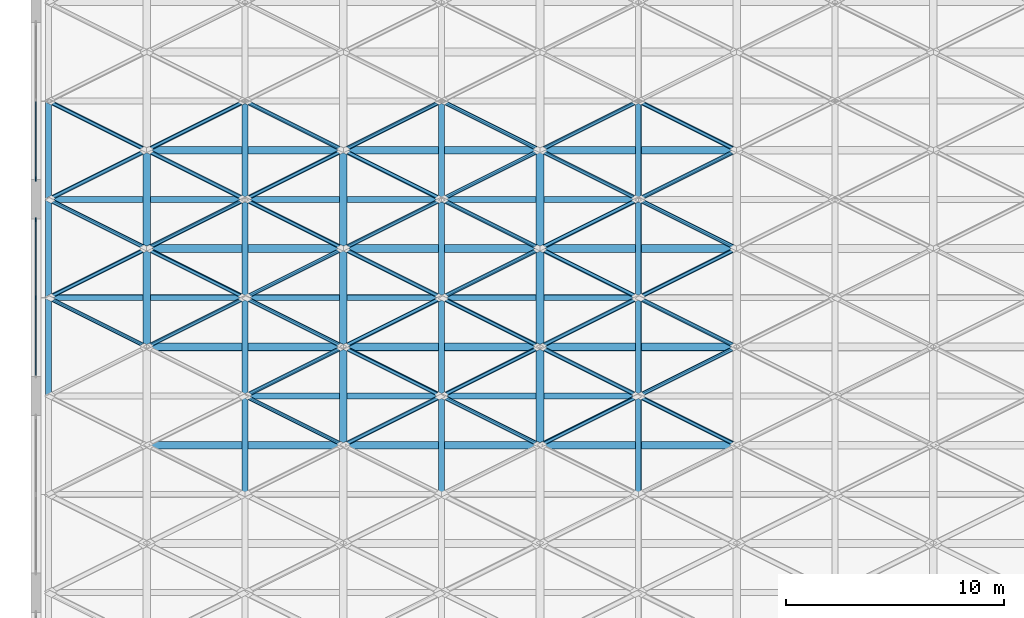
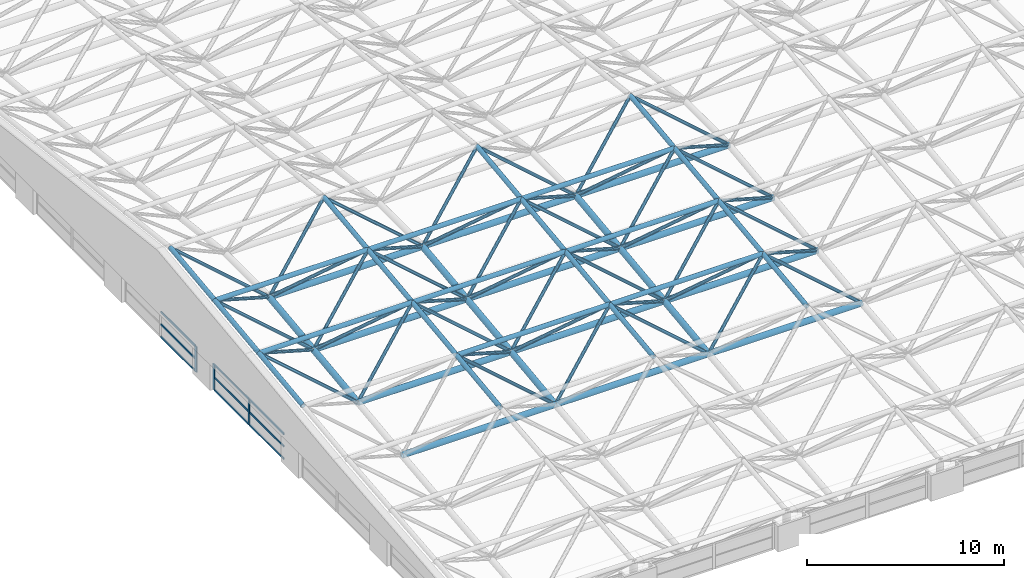
# One storey, part 4 of 53: 100 members, 2 elements without a shape of their own.
"""IFC4 building model written with IfcOpenShell, lengths in metres."""

from ifc_helpers import new_model, si_unit, direction, frame, origin, origin_2d, place, context, subcontext, project, spatial, rectangle, hollow_circle, extrude, material, material_profile, profile_set, type_object, element, aggregate, save


model = new_model("IFC4")

# Units and contexts
model_context = context("Model", 3, precision=1e-05, world=origin(), true_north=direction((0.0, 1.0)))
body_context = subcontext(model_context, "Body", "Model", "MODEL_VIEW")
ifc_project = project(units=[si_unit("LENGTHUNIT", "METRE"), si_unit("AREAUNIT", "SQUARE_METRE"), si_unit("VOLUMEUNIT", "CUBIC_METRE"), si_unit("PLANEANGLEUNIT", "RADIAN"), si_unit("MASSUNIT", "GRAM", prefix="KILO")], contexts=[model_context])

# Site, building, storey
site_placement = place(None, origin())
site = spatial("IfcSite", under=ifc_project, at=site_placement, CompositionType="ELEMENT")
building_placement = place(site_placement, origin())
building = spatial("IfcBuilding", under=site, at=building_placement, Name="Aravalli Gate Trade Fair Centre", CompositionType="ELEMENT")
storey_placement = place(building_placement, frame((0.0, 0.0, 25.199951171875)))
storey = spatial("IfcBuildingStorey", under=building, at=storey_placement, Name="ROOF LEVEL 2", CompositionType="ELEMENT", Elevation=25.199951171875)

# Members
ifc_material_1 = material(Name="Steel E350", Category="steel")
ifc_material_profile_1 = material_profile(ifc_material_1, hollow_circle(Radius=0.096923828125, WallThickness=0.00634765625, at=origin_2d()), Name="CHS 193.7x6.3")
ifc_profile_set_1 = profile_set([ifc_material_profile_1], Name="Steel E350")
member_type_1 = type_object("IfcMemberType", Name="CHS 193.7x6.3", PredefinedType="BRACE", material=ifc_profile_set_1)
for number, where, z_axis, x_axis, name in (
    (1, (15.0, 64.0, 3.699951171875), (0.786485839543, 0.393242919772, -0.476235267749), (-0.4472135955, 0.894427191, 0.0), "Space frame web diagonal D2A"),
    (2, (24.0, 64.0, 3.699951171875), (0.786485839543, 0.393242919772, -0.476235267749), (-0.4472135955, 0.894427191, 0.0), "Space frame web diagonal D2A"),
    (3, (33.0, 64.0, 3.699951171875), (0.786485839543, 0.393242919772, -0.476235267749), (-0.4472135955, 0.894427191, 0.0), "Space frame web diagonal D2A"),
    (4, (24.0, 64.0, 3.699951171875), (-0.786485839543, 0.393242919772, -0.476235267749), (-0.4472135955, -0.894427191, 0.0), "Space frame web diagonal D2B"),
    (5, (33.0, 64.0, 3.699951171875), (-0.786485839543, 0.393242919772, -0.476235267749), (-0.4472135955, -0.894427191, 0.0), "Space frame web diagonal D2B"),
):
    element("IfcMember", number, at=place(storey_placement, frame(where, z_axis=z_axis, x_axis=x_axis)), inside=storey, type_object=member_type_1, Name=name, PredefinedType="BRACE", context=body_context, shape_type="SweptSolid", body=[
        extrude(hollow_circle(Radius=0.096923828125, WallThickness=0.00634765625, at=origin_2d()), origin(), (0.0, 0.0, 1.0), 5.7216796875),
    ])
for number, where, z_axis, x_axis, name in (
    (6, (15.0, 64.0, 3.699951171875), (0.749609832162, -0.374804916081, -0.545533110277), (0.4472135955, 0.894427191, 0.0), "Space frame web diagonal D2C"),
    (7, (24.0, 64.0, 3.699951171875), (0.749609832162, -0.374804916081, -0.545533110277), (0.4472135955, 0.894427191, 0.0), "Space frame web diagonal D2C"),
    (8, (33.0, 64.0, 3.699951171875), (0.749609832162, -0.374804916081, -0.545533110277), (0.4472135955, 0.894427191, 0.0), "Space frame web diagonal D2C"),
    (9, (6.0, 68.5, 4.25), (0.749609832162, -0.374804916081, -0.545533110277), (0.4472135955, 0.894427191, 0.0), "Space frame web diagonal D2C"),
    (10, (15.0, 68.5, 4.25), (0.749609832162, -0.374804916081, -0.545533110277), (0.4472135955, 0.894427191, 0.0), "Space frame web diagonal D2C"),
    (11, (24.0, 68.5, 4.25), (0.749609832162, -0.374804916081, -0.545533110277), (0.4472135955, 0.894427191, 0.0), "Space frame web diagonal D2C"),
    (12, (33.0, 68.5, 4.25), (0.749609832162, -0.374804916081, -0.545533110277), (0.4472135955, 0.894427191, 0.0), "Space frame web diagonal D2C"),
    (13, (24.0, 64.0, 3.699951171875), (-0.749609832162, -0.374804916081, -0.545533110277), (0.4472135955, -0.894427191, 0.0), "Space frame web diagonal D2D"),
    (14, (33.0, 64.0, 3.699951171875), (-0.749609832162, -0.374804916081, -0.545533110277), (0.4472135955, -0.894427191, 0.0), "Space frame web diagonal D2D"),
    (15, (15.0, 68.5, 4.25), (-0.749609832162, -0.374804916081, -0.545533110277), (0.4472135955, -0.894427191, 0.0), "Space frame web diagonal D2D"),
    (16, (24.0, 68.5, 4.25), (-0.749609832162, -0.374804916081, -0.545533110277), (0.4472135955, -0.894427191, 0.0), "Space frame web diagonal D2D"),
    (17, (33.0, 68.5, 4.25), (-0.749609832162, -0.374804916081, -0.545533110277), (0.4472135955, -0.894427191, 0.0), "Space frame web diagonal D2D"),
):
    element("IfcMember", number, at=place(storey_placement, frame(where, z_axis=z_axis, x_axis=x_axis)), inside=storey, type_object=member_type_1, Name=name, PredefinedType="BRACE", context=body_context, shape_type="SweptSolid", body=[
        extrude(hollow_circle(Radius=0.096923828125, WallThickness=0.00634765625, at=origin_2d()), origin(), (0.0, 0.0, 1.0), 6.003173828125),
    ])
for number, where, z_axis, x_axis, name in (
    (18, (6.0, 68.5, 4.25), (0.786150117051, 0.393075058526, -0.476927658901), (-0.4472135955, 0.894427191, 0.0), "Space frame web diagonal D3A"),
    (19, (15.0, 68.5, 4.25), (0.786150117051, 0.393075058526, -0.476927658901), (-0.4472135955, 0.894427191, 0.0), "Space frame web diagonal D3A"),
    (20, (24.0, 68.5, 4.25), (0.786150117051, 0.393075058526, -0.476927658901), (-0.4472135955, 0.894427191, 0.0), "Space frame web diagonal D3A"),
    (21, (33.0, 68.5, 4.25), (0.786150117051, 0.393075058526, -0.476927658901), (-0.4472135955, 0.894427191, 0.0), "Space frame web diagonal D3A"),
    (22, (6.0, 73.0, 4.7900390625), (0.786150117051, 0.393075058526, -0.476927658901), (-0.4472135955, 0.894427191, 0.0), "Space frame web diagonal D3A"),
    (23, (15.0, 73.0, 4.7900390625), (0.786150117051, 0.393075058526, -0.476927658901), (-0.4472135955, 0.894427191, 0.0), "Space frame web diagonal D3A"),
    (24, (24.0, 73.0, 4.7900390625), (0.786150117051, 0.393075058526, -0.476927658901), (-0.4472135955, 0.894427191, 0.0), "Space frame web diagonal D3A"),
    (25, (33.0, 73.0, 4.7900390625), (0.786150117051, 0.393075058526, -0.476927658901), (-0.4472135955, 0.894427191, 0.0), "Space frame web diagonal D3A"),
    (26, (15.0, 68.5, 4.25), (-0.786150117051, 0.393075058526, -0.476927658901), (-0.4472135955, -0.894427191, 0.0), "Space frame web diagonal D3B"),
    (27, (24.0, 68.5, 4.25), (-0.786150117051, 0.393075058526, -0.476927658901), (-0.4472135955, -0.894427191, 0.0), "Space frame web diagonal D3B"),
    (28, (33.0, 68.5, 4.25), (-0.786150117051, 0.393075058526, -0.476927658901), (-0.4472135955, -0.894427191, 0.0), "Space frame web diagonal D3B"),
    (29, (15.0, 73.0, 4.7900390625), (-0.786150117051, 0.393075058526, -0.476927658901), (-0.4472135955, -0.894427191, 0.0), "Space frame web diagonal D3B"),
    (30, (24.0, 73.0, 4.7900390625), (-0.786150117051, 0.393075058526, -0.476927658901), (-0.4472135955, -0.894427191, 0.0), "Space frame web diagonal D3B"),
    (31, (33.0, 73.0, 4.7900390625), (-0.786150117051, 0.393075058526, -0.476927658901), (-0.4472135955, -0.894427191, 0.0), "Space frame web diagonal D3B"),
):
    element("IfcMember", number, at=place(storey_placement, frame(where, z_axis=z_axis, x_axis=x_axis)), inside=storey, type_object=member_type_1, Name=name, PredefinedType="BRACE", context=body_context, shape_type="SweptSolid", body=[
        extrude(hollow_circle(Radius=0.096923828125, WallThickness=0.00634765625, at=origin_2d()), origin(), (0.0, 0.0, 1.0), 5.72412109375),
    ])
for number, where, z_axis, x_axis, name in (
    (32, (6.0, 73.0, 4.7900390625), (0.74994242606, -0.37497121303, -0.544961417895), (0.4472135955, 0.894427191, 0.0), "Space frame web diagonal D3C"),
    (33, (15.0, 73.0, 4.7900390625), (0.74994242606, -0.37497121303, -0.544961417895), (0.4472135955, 0.894427191, 0.0), "Space frame web diagonal D3C"),
    (34, (24.0, 73.0, 4.7900390625), (0.74994242606, -0.37497121303, -0.544961417895), (0.4472135955, 0.894427191, 0.0), "Space frame web diagonal D3C"),
    (35, (33.0, 73.0, 4.7900390625), (0.74994242606, -0.37497121303, -0.544961417895), (0.4472135955, 0.894427191, 0.0), "Space frame web diagonal D3C"),
    (36, (6.0, 77.5, 5.330078125), (0.74994242606, -0.37497121303, -0.544961417895), (0.4472135955, 0.894427191, 0.0), "Space frame web diagonal D3C"),
    (37, (15.0, 77.5, 5.330078125), (0.74994242606, -0.37497121303, -0.544961417895), (0.4472135955, 0.894427191, 0.0), "Space frame web diagonal D3C"),
    (38, (24.0, 77.5, 5.330078125), (0.74994242606, -0.37497121303, -0.544961417895), (0.4472135955, 0.894427191, 0.0), "Space frame web diagonal D3C"),
    (39, (33.0, 77.5, 5.330078125), (0.74994242606, -0.37497121303, -0.544961417895), (0.4472135955, 0.894427191, 0.0), "Space frame web diagonal D3C"),
    (40, (15.0, 73.0, 4.7900390625), (-0.74994242606, -0.37497121303, -0.544961417895), (0.4472135955, -0.894427191, 0.0), "Space frame web diagonal D3D"),
    (41, (24.0, 73.0, 4.7900390625), (-0.74994242606, -0.37497121303, -0.544961417895), (0.4472135955, -0.894427191, 0.0), "Space frame web diagonal D3D"),
    (42, (33.0, 73.0, 4.7900390625), (-0.74994242606, -0.37497121303, -0.544961417895), (0.4472135955, -0.894427191, 0.0), "Space frame web diagonal D3D"),
    (43, (15.0, 77.5, 5.330078125), (-0.74994242606, -0.37497121303, -0.544961417895), (0.4472135955, -0.894427191, 0.0), "Space frame web diagonal D3D"),
    (44, (24.0, 77.5, 5.330078125), (-0.74994242606, -0.37497121303, -0.544961417895), (0.4472135955, -0.894427191, 0.0), "Space frame web diagonal D3D"),
    (45, (33.0, 77.5, 5.330078125), (-0.74994242606, -0.37497121303, -0.544961417895), (0.4472135955, -0.894427191, 0.0), "Space frame web diagonal D3D"),
):
    element("IfcMember", number, at=place(storey_placement, frame(where, z_axis=z_axis, x_axis=x_axis)), inside=storey, type_object=member_type_1, Name=name, PredefinedType="BRACE", context=body_context, shape_type="SweptSolid", body=[
        extrude(hollow_circle(Radius=0.096923828125, WallThickness=0.00634765625, at=origin_2d()), origin(), (0.0, 0.0, 1.0), 6.00048828125),
    ])
ifc_material_profile_2 = material_profile(ifc_material_1, hollow_circle(Radius=0.136474609375, WallThickness=0.010009765625, at=origin_2d()), Name="CHS 273.1x10")
ifc_profile_set_2 = profile_set([ifc_material_profile_2], Name="Steel E350")
member_type_2 = type_object("IfcMemberType", Name="CHS 273.1x10", PredefinedType="CHORD", material=ifc_profile_set_2)
for number, where, z_axis, x_axis, name in (
    (46, (15.0, 64.0, 3.699951171875), (1.0, 0.0, 0.0), (0.0, 1.0, 0.0), "Space frame top chord along the lines T2"),
    (47, (24.0, 64.0, 3.699951171875), (1.0, 0.0, 0.0), (0.0, 1.0, 0.0), "Space frame top chord along the lines T2"),
    (48, (6.0, 68.5, 4.25), (1.0, 0.0, 0.0), (0.0, 1.0, 0.0), "Space frame top chord along the lines T3"),
    (49, (15.0, 68.5, 4.25), (1.0, 0.0, 0.0), (0.0, 1.0, 0.0), "Space frame top chord along the lines T3"),
    (50, (24.0, 68.5, 4.25), (1.0, 0.0, 0.0), (0.0, 1.0, 0.0), "Space frame top chord along the lines T3"),
    (51, (6.0, 73.0, 4.7900390625), (1.0, 0.0, 0.0), (0.0, 1.0, 0.0), "Space frame top chord along the lines T3"),
    (52, (15.0, 73.0, 4.7900390625), (1.0, 0.0, 0.0), (0.0, 1.0, 0.0), "Space frame top chord along the lines T3"),
    (53, (24.0, 73.0, 4.7900390625), (1.0, 0.0, 0.0), (0.0, 1.0, 0.0), "Space frame top chord along the lines T3"),
):
    element("IfcMember", number, at=place(storey_placement, frame(where, z_axis=z_axis, x_axis=x_axis)), inside=storey, type_object=member_type_2, Name=name, PredefinedType="CHORD", context=body_context, shape_type="SweptSolid", body=[
        extrude(hollow_circle(Radius=0.136474609375, WallThickness=0.010009765625, at=origin_2d()), origin(), (0.0, 0.0, 1.0), 9.0),
    ])
for number, where, z_axis, x_axis, name in (
    (54, (15.0, 59.5, 3.150146484375), (0.0, 0.992618705116, 0.12127698155), (-1.0, 0.0, 0.0), "Space frame top chord across the vault Y2"),
    (55, (15.0, 64.0, 3.699951171875), (0.0, 0.992612220818, 0.121330041965), (-1.0, 0.0, 0.0), "Space frame top chord across the vault Y2"),
    (56, (24.0, 59.5, 3.150146484375), (0.0, 0.992618705116, 0.12127698155), (-1.0, 0.0, 0.0), "Space frame top chord across the vault Y2"),
    (57, (24.0, 64.0, 3.699951171875), (0.0, 0.992612220818, 0.121330041965), (-1.0, 0.0, 0.0), "Space frame top chord across the vault Y2"),
    (58, (33.0, 59.5, 3.150146484375), (0.0, 0.992618705116, 0.12127698155), (-1.0, 0.0, 0.0), "Space frame top chord across the vault Y2"),
    (59, (33.0, 64.0, 3.699951171875), (0.0, 0.992612220818, 0.121330041965), (-1.0, 0.0, 0.0), "Space frame top chord across the vault Y2"),
):
    element("IfcMember", number, at=place(storey_placement, frame(where, z_axis=z_axis, x_axis=x_axis)), inside=storey, type_object=member_type_2, Name=name, PredefinedType="CHORD", context=body_context, shape_type="SweptSolid", body=[
        extrude(hollow_circle(Radius=0.136474609375, WallThickness=0.010009765625, at=origin_2d()), origin(), (0.0, 0.0, 1.0), 4.533447265625),
    ])
for number, where, z_axis, x_axis, name in (
    (60, (15.0, 68.5, 4.25), (0.0, 0.992875818887, 0.11915371698), (-1.0, 0.0, 0.0), "Space frame top chord across the vault Y3"),
    (61, (15.0, 73.0, 4.7900390625), (0.0, 0.992875818887, 0.11915371698), (-1.0, 0.0, 0.0), "Space frame top chord across the vault Y3"),
    (62, (24.0, 68.5, 4.25), (0.0, 0.992875818887, 0.11915371698), (-1.0, 0.0, 0.0), "Space frame top chord across the vault Y3"),
    (63, (24.0, 73.0, 4.7900390625), (0.0, 0.992875818887, 0.11915371698), (-1.0, 0.0, 0.0), "Space frame top chord across the vault Y3"),
    (64, (33.0, 68.5, 4.25), (0.0, 0.992875818887, 0.11915371698), (-1.0, 0.0, 0.0), "Space frame top chord across the vault Y3"),
    (65, (33.0, 73.0, 4.7900390625), (0.0, 0.992875818887, 0.11915371698), (-1.0, 0.0, 0.0), "Space frame top chord across the vault Y3"),
):
    element("IfcMember", number, at=place(storey_placement, frame(where, z_axis=z_axis, x_axis=x_axis)), inside=storey, type_object=member_type_2, Name=name, PredefinedType="CHORD", context=body_context, shape_type="SweptSolid", body=[
        extrude(hollow_circle(Radius=0.136474609375, WallThickness=0.010009765625, at=origin_2d()), origin(), (0.0, 0.0, 1.0), 4.5322265625),
    ])
ifc_material_profile_3 = material_profile(ifc_material_1, hollow_circle(Radius=0.136474609375, WallThickness=0.01611328125, at=origin_2d()), Name="CHS 273.1x16")
ifc_profile_set_3 = profile_set([ifc_material_profile_3], Name="Steel E350")
member_type_3 = type_object("IfcMemberType", Name="CHS 273.1x16", PredefinedType="CHORD", material=ifc_profile_set_3)
member_1_placement = place(storey_placement, frame((6.0, 64.0, 3.699951171875), z_axis=(0.0, 0.992612220818, 0.121330041965), x_axis=(-1.0, 0.0, 0.0)))
element("IfcMember", 66, at=member_1_placement, inside=storey, type_object=member_type_3, Name="Space frame edge chord at the end lines YE2", PredefinedType="CHORD", context=body_context, shape_type="SweptSolid", body=[
    extrude(hollow_circle(Radius=0.136474609375, WallThickness=0.01611328125, at=origin_2d()), origin(), (0.0, 0.0, 1.0), 4.533447265625),
])
for number, where, z_axis, x_axis, name in (
    (67, (6.0, 68.5, 4.25), (0.0, 0.992875818887, 0.11915371698), (-1.0, 0.0, 0.0), "Space frame edge chord at the end lines YE3"),
    (68, (6.0, 73.0, 4.7900390625), (0.0, 0.992875818887, 0.11915371698), (-1.0, 0.0, 0.0), "Space frame edge chord at the end lines YE3"),
):
    element("IfcMember", number, at=place(storey_placement, frame(where, z_axis=z_axis, x_axis=x_axis)), inside=storey, type_object=member_type_3, Name=name, PredefinedType="CHORD", context=body_context, shape_type="SweptSolid", body=[
        extrude(hollow_circle(Radius=0.136474609375, WallThickness=0.01611328125, at=origin_2d()), origin(), (0.0, 0.0, 1.0), 4.5322265625),
    ])
ifc_material_profile_4 = material_profile(ifc_material_1, hollow_circle(Radius=0.177734375, WallThickness=0.010009765625, at=origin_2d()), Name="CHS 355.6x10")
ifc_profile_set_4 = profile_set([ifc_material_profile_4], Name="Steel E350")
member_type_4 = type_object("IfcMemberType", Name="CHS 355.6x10", PredefinedType="CHORD", material=ifc_profile_set_4)
for number, where, z_axis, x_axis, name in (
    (69, (10.5, 61.75, 0.425048828125), (1.0, 0.0, 0.0), (0.0, 1.0, 0.0), "Space frame bottom chord along the lines B2"),
    (70, (19.5, 61.75, 0.425048828125), (1.0, 0.0, 0.0), (0.0, 1.0, 0.0), "Space frame bottom chord along the lines B2"),
    (71, (28.5, 61.75, 0.425048828125), (1.0, 0.0, 0.0), (0.0, 1.0, 0.0), "Space frame bottom chord along the lines B2"),
    (72, (10.5, 66.25, 0.97509765625), (1.0, 0.0, 0.0), (0.0, 1.0, 0.0), "Space frame bottom chord along the lines B2"),
    (73, (19.5, 66.25, 0.97509765625), (1.0, 0.0, 0.0), (0.0, 1.0, 0.0), "Space frame bottom chord along the lines B2"),
    (74, (28.5, 66.25, 0.97509765625), (1.0, 0.0, 0.0), (0.0, 1.0, 0.0), "Space frame bottom chord along the lines B2"),
    (75, (10.5, 70.75, 1.52001953125), (1.0, 0.0, 0.0), (0.0, 1.0, 0.0), "Space frame bottom chord along the lines B3"),
    (76, (19.5, 70.75, 1.52001953125), (1.0, 0.0, 0.0), (0.0, 1.0, 0.0), "Space frame bottom chord along the lines B3"),
    (77, (28.5, 70.75, 1.52001953125), (1.0, 0.0, 0.0), (0.0, 1.0, 0.0), "Space frame bottom chord along the lines B3"),
    (78, (10.5, 75.25, 2.06005859375), (1.0, 0.0, 0.0), (0.0, 1.0, 0.0), "Space frame bottom chord along the lines B3"),
    (79, (19.5, 75.25, 2.06005859375), (1.0, 0.0, 0.0), (0.0, 1.0, 0.0), "Space frame bottom chord along the lines B3"),
    (80, (28.5, 75.25, 2.06005859375), (1.0, 0.0, 0.0), (0.0, 1.0, 0.0), "Space frame bottom chord along the lines B3"),
):
    element("IfcMember", number, at=place(storey_placement, frame(where, z_axis=z_axis, x_axis=x_axis)), inside=storey, type_object=member_type_4, Name=name, PredefinedType="CHORD", context=body_context, shape_type="SweptSolid", body=[
        extrude(hollow_circle(Radius=0.177734375, WallThickness=0.010009765625, at=origin_2d()), origin(), (0.0, 0.0, 1.0), 9.0),
    ])
for number, where, z_axis, x_axis, name in (
    (81, (19.5, 61.75, 0.425048828125), (0.0, 0.992612220818, 0.121330041965), (-1.0, 0.0, 0.0), "Space frame bottom chord across the vault C3"),
    (82, (28.5, 61.75, 0.425048828125), (0.0, 0.992612220818, 0.121330041965), (-1.0, 0.0, 0.0), "Space frame bottom chord across the vault C3"),
):
    element("IfcMember", number, at=place(storey_placement, frame(where, z_axis=z_axis, x_axis=x_axis)), inside=storey, type_object=member_type_4, Name=name, PredefinedType="CHORD", context=body_context, shape_type="SweptSolid", body=[
        extrude(hollow_circle(Radius=0.177734375, WallThickness=0.010009765625, at=origin_2d()), origin(), (0.0, 0.0, 1.0), 4.533447265625),
    ])
for number, where, z_axis, x_axis, name in (
    (83, (10.5, 66.25, 0.97509765625), (0.0, 0.992747813002, 0.120215555481), (-1.0, 0.0, 0.0), "Space frame bottom chord across the vault C4"),
    (84, (19.5, 66.25, 0.97509765625), (0.0, 0.992747813002, 0.120215555481), (-1.0, 0.0, 0.0), "Space frame bottom chord across the vault C4"),
    (85, (28.5, 66.25, 0.97509765625), (0.0, 0.992747813002, 0.120215555481), (-1.0, 0.0, 0.0), "Space frame bottom chord across the vault C4"),
):
    element("IfcMember", number, at=place(storey_placement, frame(where, z_axis=z_axis, x_axis=x_axis)), inside=storey, type_object=member_type_4, Name=name, PredefinedType="CHORD", context=body_context, shape_type="SweptSolid", body=[
        extrude(hollow_circle(Radius=0.177734375, WallThickness=0.010009765625, at=origin_2d()), origin(), (0.0, 0.0, 1.0), 4.532958984375),
    ])
for number, where, z_axis, x_axis, name in (
    (86, (10.5, 70.75, 1.52001953125), (0.0, 0.992875818887, 0.11915371698), (-1.0, 0.0, 0.0), "Space frame bottom chord across the vault C5"),
    (87, (19.5, 70.75, 1.52001953125), (0.0, 0.992875818887, 0.11915371698), (-1.0, 0.0, 0.0), "Space frame bottom chord across the vault C5"),
    (88, (28.5, 70.75, 1.52001953125), (0.0, 0.992875818887, 0.11915371698), (-1.0, 0.0, 0.0), "Space frame bottom chord across the vault C5"),
):
    element("IfcMember", number, at=place(storey_placement, frame(where, z_axis=z_axis, x_axis=x_axis)), inside=storey, type_object=member_type_4, Name=name, PredefinedType="CHORD", context=body_context, shape_type="SweptSolid", body=[
        extrude(hollow_circle(Radius=0.177734375, WallThickness=0.010009765625, at=origin_2d()), origin(), (0.0, 0.0, 1.0), 4.5322265625),
    ])

# Curtain wall, members
ifc_material_2 = material(Name="Aluminium, glass and louvre", Category="aluminium")
curtain_wall_type = type_object("IfcCurtainWallType", Name="Hall crown curtain wall 3000 module", PredefinedType="NOTDEFINED", material=ifc_material_2)
curtain_wall_1_placement = place(storey_placement, origin())
curtain_wall_1 = element("IfcCurtainWall", 89, at=curtain_wall_1_placement, inside=storey, type_object=curtain_wall_type, Name="Hall west crown curtain wall 3 ROOF LEVEL 2", PredefinedType="NOTDEFINED")
ifc_material_3 = material(Name="Aluminium", Category="aluminium")
ifc_material_profile_5 = material_profile(ifc_material_3, rectangle(XDim=0.06005859375, YDim=0.199951171875, at=origin_2d()), Name="Hall curtain wall mullion 60 x 200")
ifc_profile_set_5 = profile_set([ifc_material_profile_5], Name="Aluminium")
member_type_5 = type_object("IfcMemberType", Name="Hall curtain wall mullion 60 x 200", PredefinedType="MULLION", material=ifc_profile_set_5)
member_2_placement = place(storey_placement, frame((5.425048828125, 68.5, 0.0), z_axis=(0.0, 0.0, 1.0), x_axis=(-1.0, 0.0, 0.0)))
member_2 = element("IfcMember", 90, at=member_2_placement, type_object=member_type_5, Name="HCW1 mullion 2", PredefinedType="MULLION", context=body_context, shape_type="SweptSolid", body=[
    extrude(rectangle(XDim=0.06005859375, YDim=0.199951171875, at=origin_2d()), origin(), (0.0, 0.0, 1.0), 1.60009765625),
])
member_3_placement = place(storey_placement, frame((5.425048828125, 72.070068359375, 0.0), z_axis=(0.0, 0.0, 1.0), x_axis=(-1.0, 0.0, 0.0)))
member_3 = element("IfcMember", 91, at=member_3_placement, type_object=member_type_5, Name="HCW1 mullion 3", PredefinedType="MULLION", context=body_context, shape_type="SweptSolid", body=[
    extrude(rectangle(XDim=0.06005859375, YDim=0.199951171875, at=origin_2d()), origin(), (0.0, 0.0, 1.0), 1.60009765625),
])

# Curtain wall, member
curtain_wall_2_placement = place(storey_placement, origin())
curtain_wall_2 = element("IfcCurtainWall", 92, at=curtain_wall_2_placement, inside=storey, type_object=curtain_wall_type, Name="Hall west crown curtain wall 4 ROOF LEVEL 2", PredefinedType="NOTDEFINED")
member_4_placement = place(storey_placement, frame((5.425048828125, 73.929931640625, 0.0), z_axis=(0.0, 0.0, 1.0), x_axis=(-1.0, 0.0, 0.0)))
member_4 = element("IfcMember", 93, at=member_4_placement, type_object=member_type_5, Name="HCW1 mullion 1", PredefinedType="MULLION", context=body_context, shape_type="SweptSolid", body=[
    extrude(rectangle(XDim=0.06005859375, YDim=0.199951171875, at=origin_2d()), origin(), (0.0, 0.0, 1.0), 1.60009765625),
])

# Member
ifc_material_profile_6 = material_profile(ifc_material_3, rectangle(XDim=0.06005859375, YDim=0.1201171875, at=origin_2d()), Name="Hall curtain wall transom 60 x 120")
ifc_profile_set_6 = profile_set([ifc_material_profile_6], Name="Aluminium")
member_type_6 = type_object("IfcMemberType", Name="Hall curtain wall transom 60 x 120", PredefinedType="USERDEFINED", material=ifc_profile_set_6)
member_5_placement = place(storey_placement, frame((5.425048828125, 64.9599609375, 0.030029296875), z_axis=(0.0, 1.0, 0.0), x_axis=(-1.0, 0.0, 0.0)))
member_5 = element("IfcMember", 94, at=member_5_placement, type_object=member_type_6, Name="HCW1 transom 1.1", ObjectType="TRANSOM", PredefinedType="USERDEFINED", context=body_context, shape_type="SweptSolid", body=[
    extrude(rectangle(XDim=0.06005859375, YDim=0.1201171875, at=origin_2d()), origin(), (0.0, 0.0, 1.0), 3.510009765625),
])

member_6_placement = place(storey_placement, frame((5.425048828125, 64.9599609375, 0.800048828125), z_axis=(0.0, 1.0, 0.0), x_axis=(-1.0, 0.0, 0.0)))
member_6 = element("IfcMember", 95, at=member_6_placement, type_object=member_type_6, Name="HCW1 transom 1.2", ObjectType="TRANSOM", PredefinedType="USERDEFINED", context=body_context, shape_type="SweptSolid", body=[
    extrude(rectangle(XDim=0.06005859375, YDim=0.1201171875, at=origin_2d()), origin(), (0.0, 0.0, 1.0), 3.510009765625),
])

member_7_placement = place(storey_placement, frame((5.425048828125, 64.9599609375, 1.570068359375), z_axis=(0.0, 1.0, 0.0), x_axis=(-1.0, 0.0, 0.0)))
member_7 = element("IfcMember", 96, at=member_7_placement, type_object=member_type_6, Name="HCW1 transom 1.3", ObjectType="TRANSOM", PredefinedType="USERDEFINED", context=body_context, shape_type="SweptSolid", body=[
    extrude(rectangle(XDim=0.06005859375, YDim=0.1201171875, at=origin_2d()), origin(), (0.0, 0.0, 1.0), 3.510009765625),
])

member_8_placement = place(storey_placement, frame((5.425048828125, 68.530029296875, 0.030029296875), z_axis=(0.0, 1.0, 0.0), x_axis=(-1.0, 0.0, 0.0)))
member_8 = element("IfcMember", 97, at=member_8_placement, type_object=member_type_6, Name="HCW1 transom 2.1", ObjectType="TRANSOM", PredefinedType="USERDEFINED", context=body_context, shape_type="SweptSolid", body=[
    extrude(rectangle(XDim=0.06005859375, YDim=0.1201171875, at=origin_2d()), origin(), (0.0, 0.0, 1.0), 3.510009765625),
])

member_9_placement = place(storey_placement, frame((5.425048828125, 68.530029296875, 0.800048828125), z_axis=(0.0, 1.0, 0.0), x_axis=(-1.0, 0.0, 0.0)))
member_9 = element("IfcMember", 98, at=member_9_placement, type_object=member_type_6, Name="HCW1 transom 2.2", ObjectType="TRANSOM", PredefinedType="USERDEFINED", context=body_context, shape_type="SweptSolid", body=[
    extrude(rectangle(XDim=0.06005859375, YDim=0.1201171875, at=origin_2d()), origin(), (0.0, 0.0, 1.0), 3.510009765625),
])

member_10_placement = place(storey_placement, frame((5.425048828125, 68.530029296875, 1.570068359375), z_axis=(0.0, 1.0, 0.0), x_axis=(-1.0, 0.0, 0.0)))
member_10 = element("IfcMember", 99, at=member_10_placement, type_object=member_type_6, Name="HCW1 transom 2.3", ObjectType="TRANSOM", PredefinedType="USERDEFINED", context=body_context, shape_type="SweptSolid", body=[
    extrude(rectangle(XDim=0.06005859375, YDim=0.1201171875, at=origin_2d()), origin(), (0.0, 0.0, 1.0), 3.510009765625),
])

aggregate(curtain_wall_1, [member_2, member_3, member_5, member_6, member_7, member_8, member_9, member_10])

member_11_placement = place(storey_placement, frame((5.425048828125, 73.9599609375, 0.030029296875), z_axis=(0.0, 1.0, 0.0), x_axis=(-1.0, 0.0, 0.0)))
member_11 = element("IfcMember", 100, at=member_11_placement, type_object=member_type_6, Name="HCW1 transom 1.1", ObjectType="TRANSOM", PredefinedType="USERDEFINED", context=body_context, shape_type="SweptSolid", body=[
    extrude(rectangle(XDim=0.06005859375, YDim=0.1201171875, at=origin_2d()), origin(), (0.0, 0.0, 1.0), 3.510009765625),
])

member_12_placement = place(storey_placement, frame((5.425048828125, 73.9599609375, 0.800048828125), z_axis=(0.0, 1.0, 0.0), x_axis=(-1.0, 0.0, 0.0)))
member_12 = element("IfcMember", 101, at=member_12_placement, type_object=member_type_6, Name="HCW1 transom 1.2", ObjectType="TRANSOM", PredefinedType="USERDEFINED", context=body_context, shape_type="SweptSolid", body=[
    extrude(rectangle(XDim=0.06005859375, YDim=0.1201171875, at=origin_2d()), origin(), (0.0, 0.0, 1.0), 3.510009765625),
])

member_13_placement = place(storey_placement, frame((5.425048828125, 73.9599609375, 1.570068359375), z_axis=(0.0, 1.0, 0.0), x_axis=(-1.0, 0.0, 0.0)))
member_13 = element("IfcMember", 102, at=member_13_placement, type_object=member_type_6, Name="HCW1 transom 1.3", ObjectType="TRANSOM", PredefinedType="USERDEFINED", context=body_context, shape_type="SweptSolid", body=[
    extrude(rectangle(XDim=0.06005859375, YDim=0.1201171875, at=origin_2d()), origin(), (0.0, 0.0, 1.0), 3.510009765625),
])

aggregate(curtain_wall_2, [member_4, member_11, member_12, member_13])

save(model, "model.ifc")
